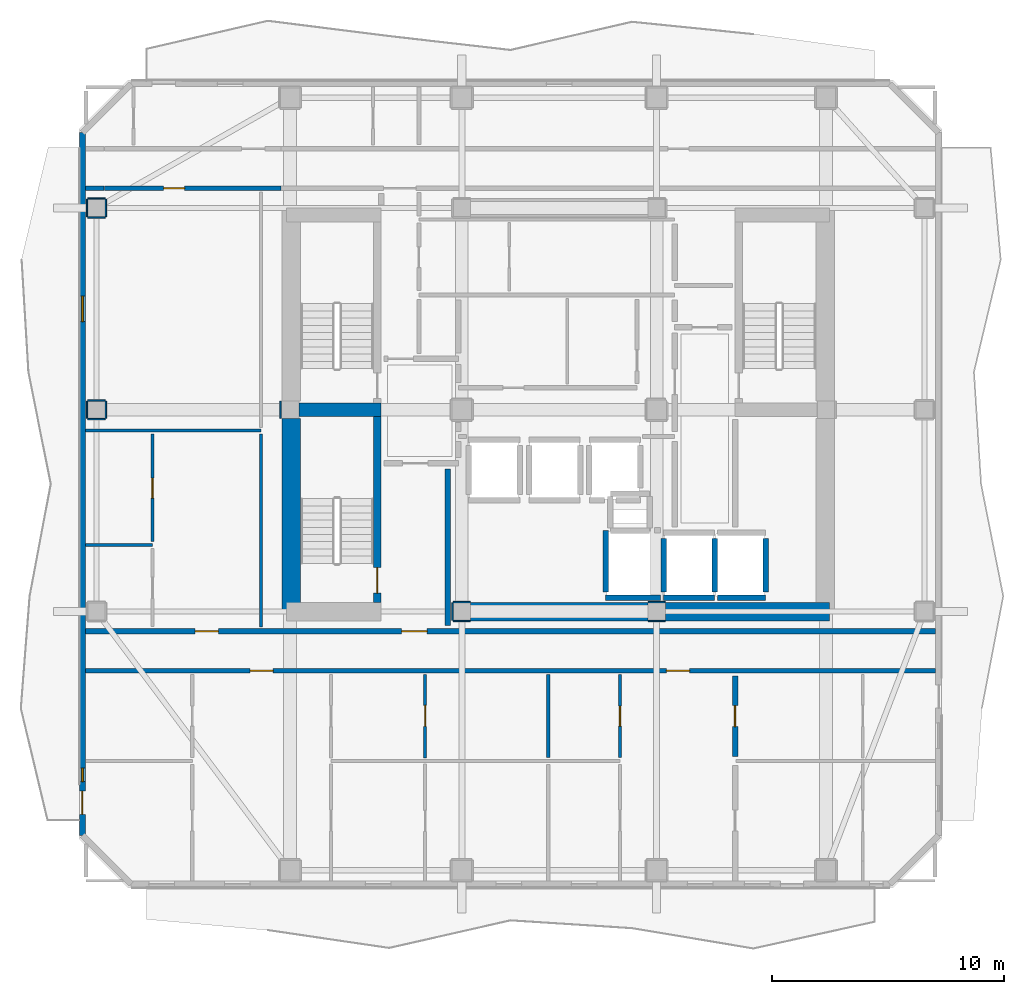
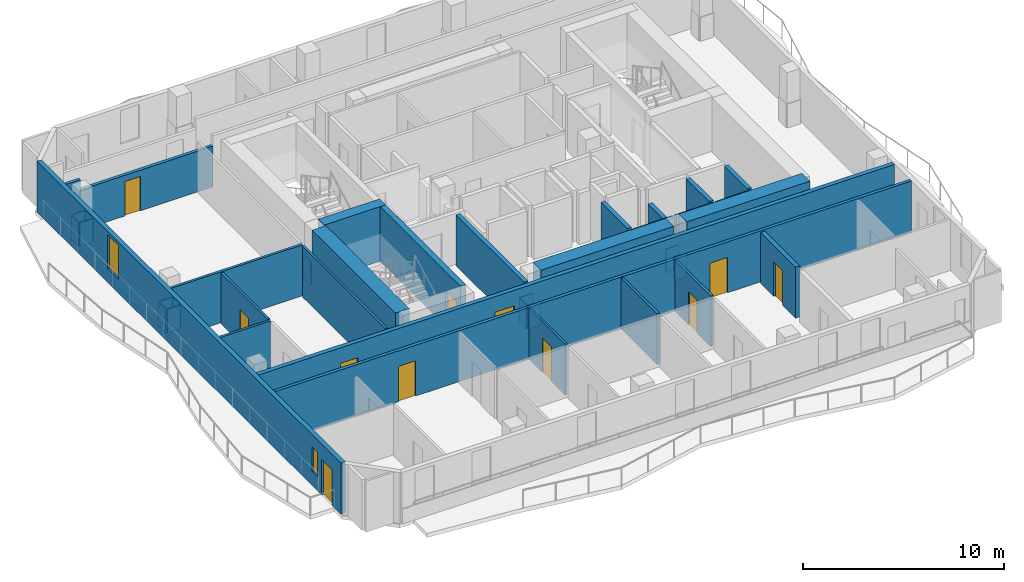
# One storey, part 3 of 10: 40 walls, 11 doors, 2 windows, 13 openings.
"""IFC4 building model written with IfcOpenShell, lengths in metres."""

from ifc_helpers import new_model, si_unit, direction, frame, frame_2d, origin, place, context, subcontext, project, spatial, rectangle, extrude, material, layer, layer_set, type_object, element, fill, save


model = new_model("IFC4")

# Units and contexts
model_context = context("Model", 3, precision=1e-05, world=origin(), true_north=direction((0.0, 1.0)))
body_context = subcontext(model_context, "Body", "Model", "MODEL_VIEW")
ifc_project = project(units=[si_unit("LENGTHUNIT", "METRE"), si_unit("AREAUNIT", "SQUARE_METRE"), si_unit("VOLUMEUNIT", "CUBIC_METRE"), si_unit("PLANEANGLEUNIT", "RADIAN"), si_unit("MASSUNIT", "GRAM", prefix="KILO")], contexts=[model_context])

# Site, building, storey
site_placement = place(None, origin())
site = spatial("IfcSite", under=ifc_project, at=site_placement, CompositionType="ELEMENT")
building_placement = place(site_placement, origin())
building = spatial("IfcBuilding", under=site, at=building_placement, Name="Solanera Arch Residences", CompositionType="ELEMENT")
storey_placement = place(building_placement, frame((0.0, 0.0, 196.800048828125)))
storey = spatial("IfcBuildingStorey", under=building, at=storey_placement, Name="L57", CompositionType="ELEMENT", Elevation=196.800048828125)

# Walls
ifc_material_1 = material(Name="Fire-Rated Gypsum Stud Partition", Category="gypsum")
ifc_layer_1 = layer(ifc_material_1, 0.06005859375)
ifc_layer_set_1 = layer_set([ifc_layer_1], Name="Fire-Rated Gypsum Stud Partition")
wall_type_1 = type_object("IfcWallType", Name="Column Acoustic Furring Wall 60", PredefinedType="PARTITIONING", material=ifc_layer_set_1)
for number, where, z_axis, x_axis, name in (
    (1, (20.425048828125, 21.593017578125, 0.0), (0.0, 0.0, 1.0), (1.0, 0.0, 0.0), "L57 Column Furring 1S"),
    (2, (20.425048828125, 22.406982421875, 0.0), (0.0, 0.0, 1.0), (1.0, 0.0, 0.0), "L57 Column Furring 1N"),
):
    element("IfcWall", number, at=place(storey_placement, frame(where, z_axis=z_axis, x_axis=x_axis)), inside=storey, type_object=wall_type_1, Name=name, PredefinedType="PARTITIONING", context=body_context, shape_type="SweptSolid", body=[
        extrude(rectangle(XDim=0.741943359375, YDim=0.06005859375, at=frame_2d((0.37109375, 0.0))), origin(), (0.0, 0.0, 1.0), 1.449951171875),
    ])
wall_1_placement = place(storey_placement, frame((20.39306640625, 21.625, 0.0), z_axis=(0.0, 0.0, 1.0), x_axis=(0.0, 1.0, 0.0)))
element("IfcWall", 3, at=wall_1_placement, inside=storey, type_object=wall_type_1, Name="L57 Column Furring 1W", PredefinedType="PARTITIONING", context=body_context, shape_type="SweptSolid", body=[
    extrude(rectangle(XDim=0.75, YDim=0.06005859375, at=frame_2d((0.375, 0.0))), origin(), (0.0, 0.0, 1.0), 1.449951171875),
])
for number, where, z_axis, x_axis, name in (
    (4, (28.8330078125, 21.593017578125, 0.0), (0.0, 0.0, 1.0), (1.0, 0.0, 0.0), "L57 Column Furring 2S"),
    (5, (28.8330078125, 22.406982421875, 0.0), (0.0, 0.0, 1.0), (1.0, 0.0, 0.0), "L57 Column Furring 2N"),
):
    element("IfcWall", number, at=place(storey_placement, frame(where, z_axis=z_axis, x_axis=x_axis)), inside=storey, type_object=wall_type_1, Name=name, PredefinedType="PARTITIONING", context=body_context, shape_type="SweptSolid", body=[
        extrude(rectangle(XDim=0.73388671875, YDim=0.06005859375, at=frame_2d((0.366943359375, 0.0))), origin(), (0.0, 0.0, 1.0), 1.449951171875),
    ])
for number, where, z_axis, x_axis, name in (
    (6, (12.992919921875, 30.324951171875, 0.0), (0.0, 0.0, 1.0), (0.0, 1.0, 0.0), "L57 Column Furring 5W"),
    (7, (4.675048828125, 30.29296875, 0.0), (0.0, 0.0, 1.0), (1.0, 0.0, 0.0), "L57 Column Furring 19S"),
    (8, (4.675048828125, 31.10693359375, 0.0), (0.0, 0.0, 1.0), (1.0, 0.0, 0.0), "L57 Column Furring 19N"),
    (9, (4.64306640625, 30.324951171875, 0.0), (0.0, 0.0, 1.0), (0.0, 1.0, 0.0), "L57 Column Furring 19W"),
    (10, (5.45703125, 30.324951171875, 0.0), (0.0, 0.0, 1.0), (0.0, 1.0, 0.0), "L57 Column Furring 19E"),
    (11, (4.675048828125, 38.992919921875, 0.0), (0.0, 0.0, 1.0), (1.0, 0.0, 0.0), "L57 Column Furring 21S"),
    (12, (4.675048828125, 39.806884765625, 0.0), (0.0, 0.0, 1.0), (1.0, 0.0, 0.0), "L57 Column Furring 21N"),
    (13, (4.64306640625, 39.02490234375, 0.0), (0.0, 0.0, 1.0), (0.0, 1.0, 0.0), "L57 Column Furring 21W"),
    (14, (5.45703125, 39.02490234375, 0.0), (0.0, 0.0, 1.0), (0.0, 1.0, 0.0), "L57 Column Furring 21E"),
):
    element("IfcWall", number, at=place(storey_placement, frame(where, z_axis=z_axis, x_axis=x_axis)), inside=storey, type_object=wall_type_1, Name=name, PredefinedType="PARTITIONING", context=body_context, shape_type="SweptSolid", body=[
        extrude(rectangle(XDim=0.75, YDim=0.06005859375, at=frame_2d((0.375, 0.0))), origin(), (0.0, 0.0, 1.0), 1.449951171875),
    ])

# Wall, opening, door
ifc_material_2 = material(Name="Concrete C40/50 (f'c = 45 MPa)", Category="concrete")
ifc_layer_2 = layer(ifc_material_2, 0.320068359375)
ifc_layer_set_2 = layer_set([ifc_layer_2], Name="Concrete C40/50 (f'c = 45 MPa)")
wall_type_2 = type_object("IfcWallType", Name="Core Shear Wall CW-320", PredefinedType="SHEAR", material=ifc_layer_set_2)
wall_2_placement = place(storey_placement, frame((17.159912109375, 22.39990234375, 0.0), z_axis=(0.0, 0.0, 1.0), x_axis=(0.0, 1.0, 0.0)))
wall_2 = element("IfcWall", 15, at=wall_2_placement, inside=storey, type_object=wall_type_2, Name="L57 Stair ST-T3 East Shear Wall", PredefinedType="SHEAR", context=body_context, shape_type="SweptSolid", body=[
    extrude(rectangle(XDim=8.0, YDim=0.320068359375, at=frame_2d((4.0, 0.0))), origin(), (0.0, 0.0, 1.0), 3.320068359375),
])
opening_1_placement = place(wall_2_placement, frame((0.389892578125, 0.0, 0.0)))
opening_1 = element("IfcOpeningElement", 16, at=opening_1_placement, cuts=wall_2, Name="Opening DF-01", PredefinedType="OPENING", context=body_context, shape_type="SweptSolid", body=[
    extrude(rectangle(XDim=1.10009765625, YDim=2.14990234375, at=frame_2d((0.550048828125, 1.074951171875))), frame((0.0, 0.169921875, 0.0), z_axis=(0.0, -1.0, 0.0), x_axis=(1.0, 0.0, 0.0)), (0.0, 0.0, 1.0), 0.3401),
])
ifc_material_3 = material(Name="Fire-Rated Architectural Hardwood", Category="wood")
door_type_1 = type_object("IfcDoorType", Name="Stair Exit Fire Door DF-01", OperationType="NOTDEFINED", PredefinedType="DOOR", material=ifc_material_3)
door_1_placement = place(opening_1_placement, origin())
door_1 = element("IfcDoor", 17, at=door_1_placement, inside=storey, type_object=door_type_1, Name="DR-L57-STAIR-ST-T3", OperationType="SINGLE_SWING_RIGHT", OverallHeight=2.14990234375, OverallWidth=1.10009765625, PredefinedType="DOOR", context=body_context, shape_type="SweptSolid", body=[
    extrude(rectangle(XDim=1.10009765625, YDim=2.14990234375, at=frame_2d((0.550048828125, 1.074951171875))), frame((0.0, 0.02490234375, 0.0), z_axis=(0.0, -1.0, 0.0), x_axis=(1.0, 0.0, 0.0)), (0.0, 0.0, 1.0), 0.050048828125),
])
fill(opening_1, door_1)

# Walls
ifc_material_4 = material(Name="Concrete C40/50 (f'c = 45 MPa)", Category="concrete")
ifc_layer_3 = layer(ifc_material_4, 0.60009765625)
ifc_layer_set_3 = layer_set([ifc_layer_3], Name="Concrete C40/50 (f'c = 45 MPa)")
wall_type_3 = type_object("IfcWallType", Name="Core Shear Wall CW-600", PredefinedType="SHEAR", material=ifc_layer_set_3)
wall_3_placement = place(storey_placement, frame((13.780029296875, 30.699951171875, 0.0), z_axis=(0.0, 0.0, 1.0), x_axis=(1.0, 0.0, 0.0)))
element("IfcWall", 18, at=wall_3_placement, inside=storey, type_object=wall_type_3, Name="L57 West Stair Divider Shear Wall", PredefinedType="SHEAR", context=body_context, shape_type="SweptSolid", body=[
    extrude(rectangle(XDim=3.5400390625, YDim=0.60009765625, at=frame_2d((1.77001953125, 0.0))), origin(), (0.0, 0.0, 1.0), 3.320068359375),
])
ifc_material_5 = material(Name="Concrete C40/50 (f'c = 45 MPa)", Category="concrete")
ifc_layer_4 = layer(ifc_material_5, 0.800048828125)
ifc_layer_set_4 = layer_set([ifc_layer_4], Name="Concrete C40/50 (f'c = 45 MPa)")
wall_type_4 = type_object("IfcWallType", Name="Core Shear Wall CW-800", PredefinedType="SHEAR", material=ifc_layer_set_4)
wall_4_placement = place(storey_placement, frame((13.43994140625, 22.0, 0.0), z_axis=(0.0, 0.0, 1.0), x_axis=(0.0, 1.0, 0.0)))
element("IfcWall", 19, at=wall_4_placement, inside=storey, type_object=wall_type_4, Name="L57 West Core South Shear Wall", PredefinedType="SHEAR", context=body_context, shape_type="SweptSolid", body=[
    extrude(rectangle(XDim=8.320068359375, YDim=0.800048828125, at=frame_2d((4.16015625, 0.0))), origin(), (0.0, 0.0, 1.0), 3.320068359375),
])
wall_5_placement = place(storey_placement, frame((29.580078125, 22.0, 0.0), z_axis=(0.0, 0.0, 1.0), x_axis=(1.0, 0.0, 0.0)))
element("IfcWall", 20, at=wall_5_placement, inside=storey, type_object=wall_type_4, Name="L57 South-East Core Shear Wall", PredefinedType="SHEAR", context=body_context, shape_type="SweptSolid", body=[
    extrude(rectangle(XDim=7.079833984375, YDim=0.800048828125, at=frame_2d((3.5400390625, 0.0))), origin(), (0.0, 0.0, 1.0), 3.320068359375),
])
wall_6_placement = place(storey_placement, frame((21.179931640625, 22.0, 0.0), z_axis=(0.0, 0.0, 1.0), x_axis=(1.0, 0.0, 0.0)))
element("IfcWall", 21, at=wall_6_placement, inside=storey, type_object=wall_type_4, Name="L57 Central South Core Shear Wall", PredefinedType="SHEAR", context=body_context, shape_type="SweptSolid", body=[
    extrude(rectangle(XDim=7.64013671875, YDim=0.800048828125, at=frame_2d((3.820068359375, 0.0))), origin(), (0.0, 0.0, 1.0), 3.320068359375),
])

# Wall, openings, doors
ifc_material_6 = material(Name="Autoclaved Aerated Concrete Blockwork", Category="masonry")
ifc_layer_5 = layer(ifc_material_6, 0.179931640625)
ifc_layer_set_5 = layer_set([ifc_layer_5], Name="Autoclaved Aerated Concrete Blockwork")
wall_type_5 = type_object("IfcWallType", Name="Corridor Fire Partition 180", PredefinedType="PARTITIONING", material=ifc_layer_set_5)
wall_7_placement = place(storey_placement, frame((4.5869140625, 19.449951171875, 0.0), z_axis=(0.0, 0.0, 1.0), x_axis=(1.0, 0.0, 0.0)))
wall_7 = element("IfcWall", 22, at=wall_7_placement, inside=storey, type_object=wall_type_5, Name="L57 Interior Partition H6", PredefinedType="PARTITIONING", context=body_context, shape_type="SweptSolid", body=[
    extrude(rectangle(XDim=36.6259765625, YDim=0.179931640625, at=frame_2d((18.31298828125, 0.0))), origin(), (0.0, 0.0, 1.0), 3.099853515625),
])
opening_2_placement = place(wall_7_placement, frame((7.0849609375, 0.0, 0.0)))
opening_2 = element("IfcOpeningElement", 23, at=opening_2_placement, cuts=wall_7, Name="Opening DI-01", PredefinedType="OPENING", context=body_context, shape_type="SweptSolid", body=[
    extrude(rectangle(XDim=1.0, YDim=2.14990234375, at=frame_2d((0.5, 1.074951171875))), frame((0.0, 0.10009765625, 0.0), z_axis=(0.0, -1.0, 0.0), x_axis=(1.0, 0.0, 0.0)), (0.0, 0.0, 1.0), 0.1999),
])
opening_3_placement = place(wall_7_placement, frame((25.033935546875, 0.0, 0.0)))
opening_3 = element("IfcOpeningElement", 24, at=opening_3_placement, cuts=wall_7, Name="Opening DI-01", PredefinedType="OPENING", context=body_context, shape_type="SweptSolid", body=[
    extrude(rectangle(XDim=1.0, YDim=2.14990234375, at=frame_2d((0.5, 1.074951171875))), frame((0.0, 0.10009765625, 0.0), z_axis=(0.0, -1.0, 0.0), x_axis=(1.0, 0.0, 0.0)), (0.0, 0.0, 1.0), 0.1999),
])
ifc_material_7 = material(Name="Fire-Rated Architectural Hardwood", Category="wood")
door_type_2 = type_object("IfcDoorType", Name="Unit Entrance Fire Door DI-01", OperationType="NOTDEFINED", PredefinedType="DOOR", material=ifc_material_7)
door_2_placement = place(opening_2_placement, origin())
door_2 = element("IfcDoor", 25, at=door_2_placement, inside=storey, type_object=door_type_2, Name="DR-L57-IN-014", OperationType="SINGLE_SWING_LEFT", OverallHeight=2.14990234375, OverallWidth=1.0, PredefinedType="DOOR", context=body_context, shape_type="SweptSolid", body=[
    extrude(rectangle(XDim=1.0, YDim=2.14990234375, at=frame_2d((0.5, 1.074951171875))), frame((0.0, 0.02490234375, 0.0), z_axis=(0.0, -1.0, 0.0), x_axis=(1.0, 0.0, 0.0)), (0.0, 0.0, 1.0), 0.050048828125),
])
fill(opening_2, door_2)
door_3_placement = place(opening_3_placement, origin())
door_3 = element("IfcDoor", 26, at=door_3_placement, inside=storey, type_object=door_type_2, Name="DR-L57-IN-021", OperationType="SINGLE_SWING_RIGHT", OverallHeight=2.14990234375, OverallWidth=1.0, PredefinedType="DOOR", context=body_context, shape_type="SweptSolid", body=[
    extrude(rectangle(XDim=1.0, YDim=2.14990234375, at=frame_2d((0.5, 1.074951171875))), frame((0.0, 0.02490234375, 0.0), z_axis=(0.0, -1.0, 0.0), x_axis=(1.0, 0.0, 0.0)), (0.0, 0.0, 1.0), 0.050048828125),
])
fill(opening_3, door_3)

# Wall
wall_8_placement = place(storey_placement, frame((4.5869140625, 40.25, 0.0), z_axis=(0.0, 0.0, 1.0), x_axis=(1.0, 0.0, 0.0)))
element("IfcWall", 27, at=wall_8_placement, inside=storey, type_object=wall_type_5, Name="L57 Interior Partition H11 1", PredefinedType="PARTITIONING", context=body_context, shape_type="SweptSolid", body=[
    extrude(rectangle(XDim=0.801025390625, YDim=0.179931640625, at=frame_2d((0.400390625, 0.0))), origin(), (0.0, 0.0, 1.0), 3.099853515625),
])

# Wall, opening, door
wall_9_placement = place(storey_placement, frame((5.387939453125, 40.25, 0.0), z_axis=(0.0, 0.0, 1.0), x_axis=(1.0, 0.0, 0.0)))
wall_9 = element("IfcWall", 28, at=wall_9_placement, inside=storey, type_object=wall_type_5, Name="L57 Interior Partition H11 2", PredefinedType="PARTITIONING", context=body_context, shape_type="SweptSolid", body=[
    extrude(rectangle(XDim=7.6240234375, YDim=0.179931640625, at=frame_2d((3.81201171875, 0.0))), origin(), (0.0, 0.0, 1.0), 2.47705078125),
])
opening_4_placement = place(wall_9_placement, frame((2.56103515625, 0.0, 0.0)))
opening_4 = element("IfcOpeningElement", 29, at=opening_4_placement, cuts=wall_9, Name="Opening DI-02", PredefinedType="OPENING", context=body_context, shape_type="SweptSolid", body=[
    extrude(rectangle(XDim=0.89990234375, YDim=2.10009765625, at=frame_2d((0.449951171875, 1.050048828125))), frame((0.0, 0.10009765625, 0.0), z_axis=(0.0, -1.0, 0.0), x_axis=(1.0, 0.0, 0.0)), (0.0, 0.0, 1.0), 0.1999),
])
ifc_material_8 = material(Name="Fire-Rated Architectural Hardwood", Category="wood")
door_type_3 = type_object("IfcDoorType", Name="Suite Room Swing Door DI-02", OperationType="NOTDEFINED", PredefinedType="DOOR", material=ifc_material_8)
door_4_placement = place(opening_4_placement, origin())
door_4 = element("IfcDoor", 30, at=door_4_placement, inside=storey, type_object=door_type_3, Name="DR-L57-IN-035", OperationType="SINGLE_SWING_RIGHT", OverallHeight=2.10009765625, OverallWidth=0.89990234375, PredefinedType="DOOR", context=body_context, shape_type="SweptSolid", body=[
    extrude(rectangle(XDim=0.89990234375, YDim=2.10009765625, at=frame_2d((0.449951171875, 1.050048828125))), frame((0.0, 0.02490234375, 0.0), z_axis=(0.0, -1.0, 0.0), x_axis=(1.0, 0.0, 0.0)), (0.0, 0.0, 1.0), 0.050048828125),
])
fill(opening_4, door_4)

# Wall, openings, door, windows
ifc_material_9 = material(Name="Precast Concrete C35/45", Category="concrete")
ifc_layer_6 = layer(ifc_material_9, 0.260009765625)
ifc_layer_set_6 = layer_set([ifc_layer_6], Name="Precast Concrete C35/45")
wall_type_6 = type_object("IfcWallType", Name="Exterior Wall Precast Masonry-Frame 260", PredefinedType="STANDARD", material=ifc_layer_set_6)
wall_10_placement = place(storey_placement, frame((4.445068359375, 12.344970703125, 0.0), z_axis=(0.0, 0.0, 1.0), x_axis=(0.0, 1.0, 0.0)))
wall_10 = element("IfcWall", 31, at=wall_10_placement, inside=storey, type_object=wall_type_6, Name="L57 Tower Exterior Precast Masonry-Frame Wall W", PredefinedType="STANDARD", context=body_context, shape_type="SweptSolid", body=[
    extrude(rectangle(XDim=30.31005859375, YDim=0.260009765625, at=frame_2d((15.155029296875, 0.0))), origin(), (0.0, 0.0, 1.0), 3.099853515625),
])
opening_5_placement = place(wall_10_placement, frame((0.909912109375, 0.0, 0.0)))
opening_5 = element("IfcOpeningElement", 32, at=opening_5_placement, cuts=wall_10, Name="Opening DB-01", PredefinedType="OPENING", context=body_context, shape_type="SweptSolid", body=[
    extrude(rectangle(XDim=1.0, YDim=2.14990234375, at=frame_2d((0.5, 1.074951171875))), frame((0.0, 0.139892578125, 0.0), z_axis=(0.0, -1.0, 0.0), x_axis=(1.0, 0.0, 0.0)), (0.0, 0.0, 1.0), 0.28),
])
opening_6_placement = place(wall_10_placement, frame((2.322021484375, 0.0, 0.85009765625)))
opening_6 = element("IfcOpeningElement", 33, at=opening_6_placement, cuts=wall_10, Name="Opening W-14", PredefinedType="OPENING", context=body_context, shape_type="SweptSolid", body=[
    extrude(rectangle(XDim=0.580078125, YDim=1.5, at=frame_2d((0.2900390625, 0.75))), frame((0.0, 0.139892578125, 0.0), z_axis=(0.0, -1.0, 0.0), x_axis=(1.0, 0.0, 0.0)), (0.0, 0.0, 1.0), 0.28),
])
opening_7_placement = place(wall_10_placement, frame((22.155029296875, 0.0, 0.85009765625)))
opening_7 = element("IfcOpeningElement", 34, at=opening_7_placement, cuts=wall_10, Name="Opening W-11", PredefinedType="OPENING", context=body_context, shape_type="SweptSolid", body=[
    extrude(rectangle(XDim=1.10009765625, YDim=2.050048828125, at=frame_2d((0.550048828125, 1.02490234375))), frame((0.0, 0.139892578125, 0.0), z_axis=(0.0, -1.0, 0.0), x_axis=(1.0, 0.0, 0.0)), (0.0, 0.0, 1.0), 0.28),
])
ifc_material_10 = material(Name="Anodised Aluminium Alloy 6063-T6", Category="aluminium")
door_type_4 = type_object("IfcDoorType", Name="Glazed Balcony Swing Door DB-01", OperationType="NOTDEFINED", PredefinedType="DOOR", material=ifc_material_10)
door_5_placement = place(opening_5_placement, origin())
door_5 = element("IfcDoor", 35, at=door_5_placement, inside=storey, type_object=door_type_4, Name="DR-L57-OUT-04", OperationType="SINGLE_SWING_RIGHT", OverallHeight=2.14990234375, OverallWidth=1.0, PredefinedType="DOOR", context=body_context, shape_type="SweptSolid", body=[
    extrude(rectangle(XDim=1.0, YDim=2.14990234375, at=frame_2d((0.5, 1.074951171875))), frame((0.0, 0.02490234375, 0.0), z_axis=(0.0, -1.0, 0.0), x_axis=(1.0, 0.0, 0.0)), (0.0, 0.0, 1.0), 0.050048828125),
])
fill(opening_5, door_5)
ifc_material_11 = material(Name="Double Glazed Low-E Laminated Glass", Category="glass")
window_type_1 = type_object("IfcWindowType", Name="Punched Window W-11", PartitioningType="SINGLE_PANEL", PredefinedType="WINDOW", material=ifc_material_11)
window_1_placement = place(opening_7_placement, origin())
window_1 = element("IfcWindow", 36, at=window_1_placement, inside=storey, type_object=window_type_1, Name="L57 AMN-STDW Punched Window", OverallHeight=2.050048828125, OverallWidth=1.10009765625, PartitioningType="SINGLE_PANEL", PredefinedType="WINDOW", context=body_context, shape_type="SweptSolid", body=[
    extrude(rectangle(XDim=1.10009765625, YDim=2.050048828125, at=frame_2d((0.550048828125, 1.02490234375))), frame((0.0, 0.030029296875, 0.0), z_axis=(0.0, -1.0, 0.0), x_axis=(1.0, 0.0, 0.0)), (0.0, 0.0, 1.0), 0.06005859375),
])
fill(opening_7, window_1)
ifc_material_12 = material(Name="Double Glazed Low-E Laminated Glass", Category="glass")
window_type_2 = type_object("IfcWindowType", Name="Punched Window W-14", PartitioningType="SINGLE_PANEL", PredefinedType="WINDOW", material=ifc_material_12)
window_2_placement = place(opening_6_placement, origin())
window_2 = element("IfcWindow", 37, at=window_2_placement, inside=storey, type_object=window_type_2, Name="L57 5701-BR1 Punched Window", OverallHeight=1.5, OverallWidth=0.580078125, PartitioningType="SINGLE_PANEL", PredefinedType="WINDOW", context=body_context, shape_type="SweptSolid", body=[
    extrude(rectangle(XDim=0.580078125, YDim=1.5, at=frame_2d((0.2900390625, 0.75))), frame((0.0, 0.030029296875, 0.0), z_axis=(0.0, -1.0, 0.0), x_axis=(1.0, 0.0, 0.0)), (0.0, 0.0, 1.0), 0.06005859375),
])
fill(opening_6, window_2)

# Walls
ifc_material_13 = material(Name="Autoclaved Aerated Concrete Blockwork", Category="masonry")
ifc_layer_7 = layer(ifc_material_13, 0.239990234375)
ifc_layer_set_7 = layer_set([ifc_layer_7], Name="Autoclaved Aerated Concrete Blockwork")
wall_type_7 = type_object("IfcWallType", Name="Shaft Wall Fire-Rated 240", PredefinedType="PARTITIONING", material=ifc_layer_set_7)
wall_11_placement = place(storey_placement, frame((29.5, 22.60009765625, 0.0), z_axis=(0.0, 0.0, 1.0), x_axis=(1.0, 0.0, 0.0)))
element("IfcWall", 38, at=wall_11_placement, inside=storey, type_object=wall_type_7, Name="L57 Lift FFL-1 Hoistway Wall S", PredefinedType="PARTITIONING", context=body_context, shape_type="SweptSolid", body=[
    extrude(rectangle(XDim=2.199951171875, YDim=0.239990234375, at=frame_2d((1.10009765625, 0.0))), origin(), (0.0, 0.0, 1.0), 3.099853515625),
])
wall_12_placement = place(storey_placement, frame((29.5, 22.847900390625, 0.0), z_axis=(0.0, 0.0, 1.0), x_axis=(0.0, 1.0, 0.0)))
element("IfcWall", 39, at=wall_12_placement, inside=storey, type_object=wall_type_7, Name="L57 Lift FFL-1 Hoistway Wall W", PredefinedType="PARTITIONING", context=body_context, shape_type="SweptSolid", body=[
    extrude(rectangle(XDim=2.30419921875, YDim=0.239990234375, at=frame_2d((1.152099609375, 0.0))), origin(), (0.0, 0.0, 1.0), 2.3349609375),
])
wall_13_placement = place(storey_placement, frame((31.699951171875, 22.847900390625, 0.0), z_axis=(0.0, 0.0, 1.0), x_axis=(0.0, 1.0, 0.0)))
element("IfcWall", 40, at=wall_13_placement, inside=storey, type_object=wall_type_7, Name="L57 Lift FFL-1 Hoistway Wall E", PredefinedType="PARTITIONING", context=body_context, shape_type="SweptSolid", body=[
    extrude(rectangle(XDim=2.30419921875, YDim=0.239990234375, at=frame_2d((1.152099609375, 0.0))), origin(), (0.0, 0.0, 1.0), 3.099853515625),
])
wall_14_placement = place(storey_placement, frame((31.827880859375, 22.60009765625, 0.0), z_axis=(0.0, 0.0, 1.0), x_axis=(1.0, 0.0, 0.0)))
element("IfcWall", 41, at=wall_14_placement, inside=storey, type_object=wall_type_7, Name="L57 Lift FFL-2 Hoistway Wall S", PredefinedType="PARTITIONING", context=body_context, shape_type="SweptSolid", body=[
    extrude(rectangle(XDim=2.072021484375, YDim=0.239990234375, at=frame_2d((1.0361328125, 0.0))), origin(), (0.0, 0.0, 1.0), 3.099853515625),
])
wall_15_placement = place(storey_placement, frame((33.89990234375, 22.847900390625, 0.0), z_axis=(0.0, 0.0, 1.0), x_axis=(0.0, 1.0, 0.0)))
element("IfcWall", 42, at=wall_15_placement, inside=storey, type_object=wall_type_7, Name="L57 Lift FFL-2 Hoistway Wall E", PredefinedType="PARTITIONING", context=body_context, shape_type="SweptSolid", body=[
    extrude(rectangle(XDim=2.30419921875, YDim=0.239990234375, at=frame_2d((1.152099609375, 0.0))), origin(), (0.0, 0.0, 1.0), 3.099853515625),
])
wall_16_placement = place(storey_placement, frame((27.0, 22.60009765625, 0.0), z_axis=(0.0, 0.0, 1.0), x_axis=(1.0, 0.0, 0.0)))
element("IfcWall", 43, at=wall_16_placement, inside=storey, type_object=wall_type_7, Name="L57 Lift SVL-1 Hoistway Wall S", PredefinedType="PARTITIONING", context=body_context, shape_type="SweptSolid", body=[
    extrude(rectangle(XDim=2.3720703125, YDim=0.239990234375, at=frame_2d((1.18603515625, 0.0))), origin(), (0.0, 0.0, 1.0), 3.099853515625),
])
wall_17_placement = place(storey_placement, frame((27.0, 22.847900390625, 0.0), z_axis=(0.0, 0.0, 1.0), x_axis=(0.0, 1.0, 0.0)))
element("IfcWall", 44, at=wall_17_placement, inside=storey, type_object=wall_type_7, Name="L57 Lift SVL-1 Hoistway Wall W", PredefinedType="PARTITIONING", context=body_context, shape_type="SweptSolid", body=[
    extrude(rectangle(XDim=2.650146484375, YDim=0.239990234375, at=frame_2d((1.3251953125, 0.0))), origin(), (0.0, 0.0, 1.0), 3.099853515625),
])

# Wall, openings, doors
wall_18_placement = place(storey_placement, frame((4.5869140625, 21.14990234375, 0.0), z_axis=(0.0, 0.0, 1.0), x_axis=(1.0, 0.0, 0.0)))
wall_18 = element("IfcWall", 45, at=wall_18_placement, inside=storey, type_object=wall_type_7, Name="L57 Interior Partition H1", PredefinedType="PARTITIONING", context=body_context, shape_type="SweptSolid", body=[
    extrude(rectangle(XDim=36.6259765625, YDim=0.239990234375, at=frame_2d((18.31298828125, 0.0))), origin(), (0.0, 0.0, 1.0), 3.099853515625),
])
opening_8_placement = place(wall_18_placement, frame((13.623046875, 0.0, 0.0)))
opening_8 = element("IfcOpeningElement", 46, at=opening_8_placement, cuts=wall_18, Name="Opening DF-02", PredefinedType="OPENING", context=body_context, shape_type="SweptSolid", body=[
    extrude(rectangle(XDim=1.10009765625, YDim=2.14990234375, at=frame_2d((0.550048828125, 1.074951171875))), frame((0.0, 0.1298828125, 0.0), z_axis=(0.0, -1.0, 0.0), x_axis=(1.0, 0.0, 0.0)), (0.0, 0.0, 1.0), 0.26),
])
opening_9_placement = place(wall_18_placement, frame((4.722900390625, 0.0, 0.0)))
opening_9 = element("IfcOpeningElement", 47, at=opening_9_placement, cuts=wall_18, Name="Opening DI-01", PredefinedType="OPENING", context=body_context, shape_type="SweptSolid", body=[
    extrude(rectangle(XDim=1.0, YDim=2.14990234375, at=frame_2d((0.5, 1.074951171875))), frame((0.0, 0.1298828125, 0.0), z_axis=(0.0, -1.0, 0.0), x_axis=(1.0, 0.0, 0.0)), (0.0, 0.0, 1.0), 0.26),
])
ifc_material_14 = material(Name="Fire-Rated Architectural Hardwood", Category="wood")
door_type_5 = type_object("IfcDoorType", Name="Firefighting Lobby Fire Door DF-02", OperationType="NOTDEFINED", PredefinedType="DOOR", material=ifc_material_14)
door_6_placement = place(opening_8_placement, origin())
door_6 = element("IfcDoor", 48, at=door_6_placement, inside=storey, type_object=door_type_5, Name="DR-L57-IN-008", OperationType="SINGLE_SWING_LEFT", OverallHeight=2.14990234375, OverallWidth=1.10009765625, PredefinedType="DOOR", context=body_context, shape_type="SweptSolid", body=[
    extrude(rectangle(XDim=1.10009765625, YDim=2.14990234375, at=frame_2d((0.550048828125, 1.074951171875))), frame((0.0, 0.02490234375, 0.0), z_axis=(0.0, -1.0, 0.0), x_axis=(1.0, 0.0, 0.0)), (0.0, 0.0, 1.0), 0.050048828125),
])
fill(opening_8, door_6)
door_7_placement = place(opening_9_placement, origin())
door_7 = element("IfcDoor", 49, at=door_7_placement, inside=storey, type_object=door_type_2, Name="DR-L57-IN-032", OperationType="SINGLE_SWING_LEFT", OverallHeight=2.14990234375, OverallWidth=1.0, PredefinedType="DOOR", context=body_context, shape_type="SweptSolid", body=[
    extrude(rectangle(XDim=1.0, YDim=2.14990234375, at=frame_2d((0.5, 1.074951171875))), frame((0.0, 0.02490234375, 0.0), z_axis=(0.0, -1.0, 0.0), x_axis=(1.0, 0.0, 0.0)), (0.0, 0.0, 1.0), 0.050048828125),
])
fill(opening_9, door_7)

# Wall
wall_19_placement = place(storey_placement, frame((20.199951171875, 21.39794921875, 0.0), z_axis=(0.0, 0.0, 1.0), x_axis=(0.0, 1.0, 0.0)))
element("IfcWall", 50, at=wall_19_placement, inside=storey, type_object=wall_type_7, Name="L57 Interior Partition V2", PredefinedType="PARTITIONING", context=body_context, shape_type="SweptSolid", body=[
    extrude(rectangle(XDim=6.754150390625, YDim=0.239990234375, at=frame_2d((3.376953125, 0.0))), origin(), (0.0, 0.0, 1.0), 3.099853515625),
])

# Wall, opening, door
wall_20_placement = place(storey_placement, frame((32.580078125, 15.75, 0.0), z_axis=(0.0, 0.0, 1.0), x_axis=(0.0, 1.0, 0.0)))
wall_20 = element("IfcWall", 51, at=wall_20_placement, inside=storey, type_object=wall_type_7, Name="L57 Interior Partition V5 2", PredefinedType="PARTITIONING", context=body_context, shape_type="SweptSolid", body=[
    extrude(rectangle(XDim=3.48193359375, YDim=0.239990234375, at=frame_2d((1.740966796875, 0.0))), origin(), (0.0, 0.0, 1.0), 3.099853515625),
])
opening_10_placement = place(wall_20_placement, frame((1.2919921875, 0.0, 0.0)))
opening_10 = element("IfcOpeningElement", 52, at=opening_10_placement, cuts=wall_20, Name="Opening DI-02", PredefinedType="OPENING", context=body_context, shape_type="SweptSolid", body=[
    extrude(rectangle(XDim=0.89990234375, YDim=2.10009765625, at=frame_2d((0.449951171875, 1.050048828125))), frame((0.0, 0.1298828125, 0.0), z_axis=(0.0, -1.0, 0.0), x_axis=(1.0, 0.0, 0.0)), (0.0, 0.0, 1.0), 0.26),
])
door_8_placement = place(opening_10_placement, origin())
door_8 = element("IfcDoor", 53, at=door_8_placement, inside=storey, type_object=door_type_3, Name="DR-L57-IN-024", OperationType="SINGLE_SWING_LEFT", OverallHeight=2.10009765625, OverallWidth=0.89990234375, PredefinedType="DOOR", context=body_context, shape_type="SweptSolid", body=[
    extrude(rectangle(XDim=0.89990234375, YDim=2.10009765625, at=frame_2d((0.449951171875, 1.050048828125))), frame((0.0, 0.02490234375, 0.0), z_axis=(0.0, -1.0, 0.0), x_axis=(1.0, 0.0, 0.0)), (0.0, 0.0, 1.0), 0.050048828125),
])
fill(opening_10, door_8)

# Wall
ifc_material_15 = material(Name="Fire-Rated Gypsum Stud Partition", Category="gypsum")
ifc_layer_8 = layer(ifc_material_15, 0.1201171875)
ifc_layer_set_8 = layer_set([ifc_layer_8], Name="Fire-Rated Gypsum Stud Partition")
wall_type_8 = type_object("IfcWallType", Name="Unit Drywall Partition 120", PredefinedType="PARTITIONING", material=ifc_layer_set_8)
wall_21_placement = place(storey_placement, frame((12.14990234375, 21.337890625, 0.0), z_axis=(0.0, 0.0, 1.0), x_axis=(0.0, 1.0, 0.0)))
element("IfcWall", 54, at=wall_21_placement, inside=storey, type_object=wall_type_8, Name="L57 Interior Partition V18 1", PredefinedType="PARTITIONING", context=body_context, shape_type="SweptSolid", body=[
    extrude(rectangle(XDim=8.32421875, YDim=0.1201171875, at=frame_2d((4.162109375, 0.0))), origin(), (0.0, 0.0, 1.0), 3.099853515625),
])

# Wall, opening, door
wall_22_placement = place(storey_placement, frame((19.219970703125, 15.697021484375, 0.0), z_axis=(0.0, 0.0, 1.0), x_axis=(0.0, 1.0, 0.0)))
wall_22 = element("IfcWall", 55, at=wall_22_placement, inside=storey, type_object=wall_type_8, Name="L57 Interior Partition V21 2", PredefinedType="PARTITIONING", context=body_context, shape_type="SweptSolid", body=[
    extrude(rectangle(XDim=3.594970703125, YDim=0.1201171875, at=frame_2d((1.79736328125, 0.0))), origin(), (0.0, 0.0, 1.0), 3.099853515625),
])
opening_11_placement = place(wall_22_placement, frame((1.35791015625, 0.0, 0.0)))
opening_11 = element("IfcOpeningElement", 56, at=opening_11_placement, cuts=wall_22, Name="Opening DI-02", PredefinedType="OPENING", context=body_context, shape_type="SweptSolid", body=[
    extrude(rectangle(XDim=0.89990234375, YDim=2.10009765625, at=frame_2d((0.449951171875, 1.050048828125))), frame((0.0, 0.070068359375, 0.0), z_axis=(0.0, -1.0, 0.0), x_axis=(1.0, 0.0, 0.0)), (0.0, 0.0, 1.0), 0.1401),
])
door_9_placement = place(opening_11_placement, origin())
door_9 = element("IfcDoor", 57, at=door_9_placement, inside=storey, type_object=door_type_3, Name="DR-L57-IN-018", OperationType="SINGLE_SWING_LEFT", OverallHeight=2.10009765625, OverallWidth=0.89990234375, PredefinedType="DOOR", context=body_context, shape_type="SweptSolid", body=[
    extrude(rectangle(XDim=0.89990234375, YDim=2.10009765625, at=frame_2d((0.449951171875, 1.050048828125))), frame((0.0, 0.02490234375, 0.0), z_axis=(0.0, -1.0, 0.0), x_axis=(1.0, 0.0, 0.0)), (0.0, 0.0, 1.0), 0.050048828125),
])
fill(opening_11, door_9)

# Walls
ifc_material_16 = material(Name="Autoclaved Aerated Concrete Blockwork", Category="masonry")
ifc_layer_9 = layer(ifc_material_16, 0.139892578125)
ifc_layer_set_9 = layer_set([ifc_layer_9], Name="Autoclaved Aerated Concrete Blockwork")
wall_type_9 = type_object("IfcWallType", Name="Wet-Room Partition 140", PredefinedType="PARTITIONING", material=ifc_layer_set_9)
wall_23_placement = place(storey_placement, frame((4.5869140625, 24.868896484375, 0.0), z_axis=(0.0, 0.0, 1.0), x_axis=(1.0, 0.0, 0.0)))
element("IfcWall", 58, at=wall_23_placement, inside=storey, type_object=wall_type_9, Name="L57 Interior Partition H16", PredefinedType="PARTITIONING", context=body_context, shape_type="SweptSolid", body=[
    extrude(rectangle(XDim=2.882080078125, YDim=0.139892578125, at=frame_2d((1.44091796875, 0.0))), origin(), (0.0, 0.0, 1.0), 3.099853515625),
])
wall_24_placement = place(storey_placement, frame((4.5869140625, 29.800048828125, 0.0), z_axis=(0.0, 0.0, 1.0), x_axis=(1.0, 0.0, 0.0)))
element("IfcWall", 59, at=wall_24_placement, inside=storey, type_object=wall_type_9, Name="L57 Interior Partition H17", PredefinedType="PARTITIONING", context=body_context, shape_type="SweptSolid", body=[
    extrude(rectangle(XDim=7.56298828125, YDim=0.139892578125, at=frame_2d((3.781494140625, 0.0))), origin(), (0.0, 0.0, 1.0), 3.099853515625),
])

# Wall, opening, door
wall_25_placement = place(storey_placement, frame((7.468994140625, 25.01708984375, 0.0), z_axis=(0.0, 0.0, 1.0), x_axis=(0.0, 1.0, 0.0)))
wall_25 = element("IfcWall", 60, at=wall_25_placement, inside=storey, type_object=wall_type_9, Name="L57 Interior Partition V14 2", PredefinedType="PARTITIONING", context=body_context, shape_type="SweptSolid", body=[
    extrude(rectangle(XDim=4.635009765625, YDim=0.139892578125, at=frame_2d((2.3173828125, 0.0))), origin(), (0.0, 0.0, 1.0), 3.099853515625),
])
opening_12_placement = place(wall_25_placement, frame((1.875, 0.0, 0.0)))
opening_12 = element("IfcOpeningElement", 61, at=opening_12_placement, cuts=wall_25, Name="Opening DI-05", PredefinedType="OPENING", context=body_context, shape_type="SweptSolid", body=[
    extrude(rectangle(XDim=0.860107421875, YDim=2.02001953125, at=frame_2d((0.43017578125, 1.010009765625))), frame((0.0, 0.079833984375, 0.0), z_axis=(0.0, -1.0, 0.0), x_axis=(1.0, 0.0, 0.0)), (0.0, 0.0, 1.0), 0.1599),
])
ifc_material_17 = material(Name="Fire-Rated Architectural Hardwood", Category="wood")
door_type_6 = type_object("IfcDoorType", Name="Bathroom Swing Door DI-05", OperationType="NOTDEFINED", PredefinedType="DOOR", material=ifc_material_17)
door_10_placement = place(opening_12_placement, origin())
door_10 = element("IfcDoor", 62, at=door_10_placement, inside=storey, type_object=door_type_6, Name="DR-L57-IN-034", OperationType="SINGLE_SWING_LEFT", OverallHeight=2.02001953125, OverallWidth=0.860107421875, PredefinedType="DOOR", context=body_context, shape_type="SweptSolid", body=[
    extrude(rectangle(XDim=0.860107421875, YDim=2.02001953125, at=frame_2d((0.43017578125, 1.010009765625))), frame((0.0, 0.02490234375, 0.0), z_axis=(0.0, -1.0, 0.0), x_axis=(1.0, 0.0, 0.0)), (0.0, 0.0, 1.0), 0.050048828125),
])
fill(opening_12, door_10)

# Wall
wall_26_placement = place(storey_placement, frame((24.528076171875, 15.70703125, 0.0), z_axis=(0.0, 0.0, 1.0), x_axis=(0.0, 1.0, 0.0)))
element("IfcWall", 63, at=wall_26_placement, inside=storey, type_object=wall_type_9, Name="L57 Interior Partition V16 2", PredefinedType="PARTITIONING", context=body_context, shape_type="SweptSolid", body=[
    extrude(rectangle(XDim=3.574951171875, YDim=0.139892578125, at=frame_2d((1.78759765625, 0.0))), origin(), (0.0, 0.0, 1.0), 3.099853515625),
])

# Wall, opening, door
wall_27_placement = place(storey_placement, frame((27.6201171875, 15.70703125, 0.0), z_axis=(0.0, 0.0, 1.0), x_axis=(0.0, 1.0, 0.0)))
wall_27 = element("IfcWall", 64, at=wall_27_placement, inside=storey, type_object=wall_type_9, Name="L57 Interior Partition V17 2", PredefinedType="PARTITIONING", context=body_context, shape_type="SweptSolid", body=[
    extrude(rectangle(XDim=3.574951171875, YDim=0.139892578125, at=frame_2d((1.78759765625, 0.0))), origin(), (0.0, 0.0, 1.0), 3.099853515625),
])
opening_13_placement = place(wall_27_placement, frame((1.35498046875, 0.0, 0.0)))
opening_13 = element("IfcOpeningElement", 65, at=opening_13_placement, cuts=wall_27, Name="Opening DI-05", PredefinedType="OPENING", context=body_context, shape_type="SweptSolid", body=[
    extrude(rectangle(XDim=0.860107421875, YDim=2.02001953125, at=frame_2d((0.43017578125, 1.010009765625))), frame((0.0, 0.079833984375, 0.0), z_axis=(0.0, -1.0, 0.0), x_axis=(1.0, 0.0, 0.0)), (0.0, 0.0, 1.0), 0.1599),
])
door_11_placement = place(opening_13_placement, origin())
door_11 = element("IfcDoor", 66, at=door_11_placement, inside=storey, type_object=door_type_6, Name="DR-L57-IN-022", OperationType="SINGLE_SWING_LEFT", OverallHeight=2.02001953125, OverallWidth=0.860107421875, PredefinedType="DOOR", context=body_context, shape_type="SweptSolid", body=[
    extrude(rectangle(XDim=0.860107421875, YDim=2.02001953125, at=frame_2d((0.43017578125, 1.010009765625))), frame((0.0, 0.02490234375, 0.0), z_axis=(0.0, -1.0, 0.0), x_axis=(1.0, 0.0, 0.0)), (0.0, 0.0, 1.0), 0.050048828125),
])
fill(opening_13, door_11)

save(model, "model.ifc")
